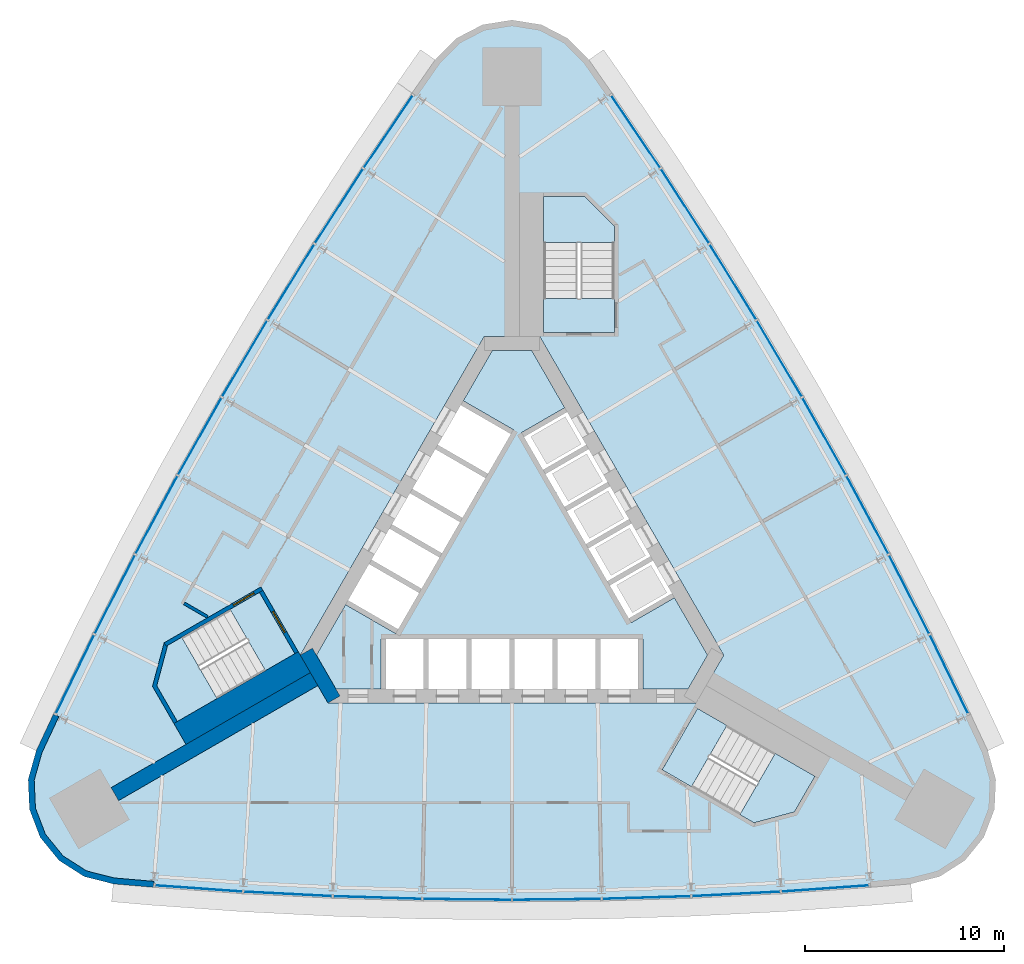
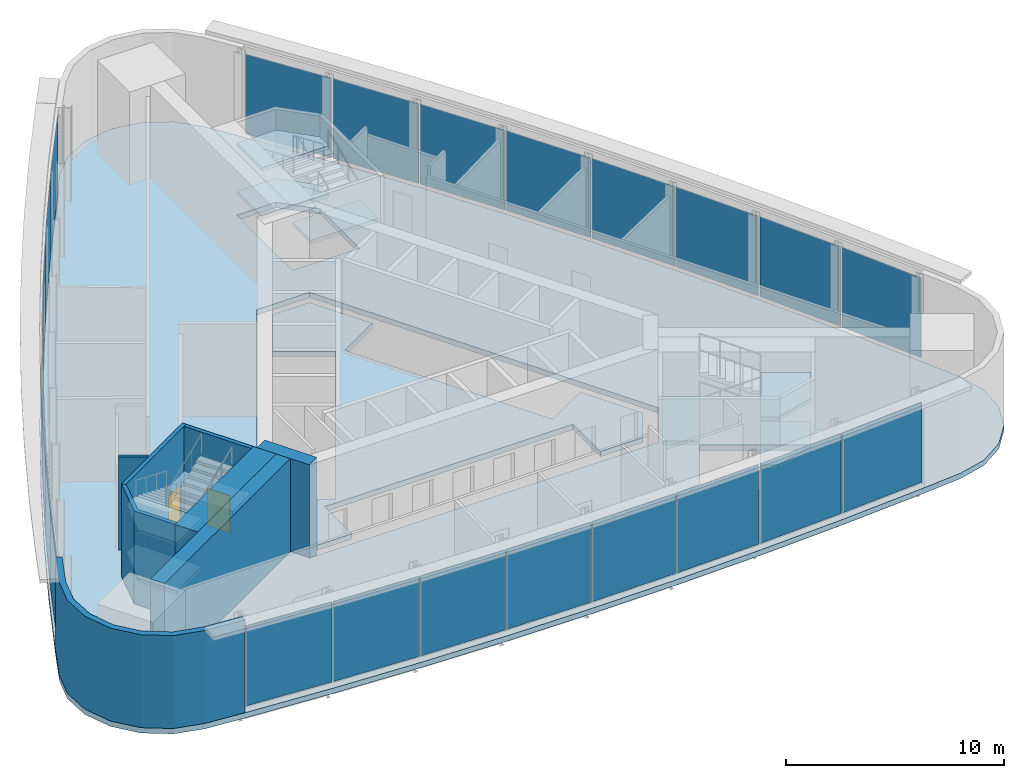
# One storey, part 5 of 11: 24 plates, 11 slabs, 8 walls, 2 doors, 2 openings, 6 elements without a shape of their own.
"""IFC4 building model written with IfcOpenShell, lengths in metres."""

from ifc_helpers import new_model, si_unit, direction, frame, frame_2d, origin, origin_2d, place, context, subcontext, project, spatial, polyline, rectangle, outline, extrude, material, layer, layer_set, type_object, element, fill, aggregate, save


model = new_model("IFC4")

# Units and contexts
model_context = context("Model", 3, precision=1e-05, world=origin(), true_north=direction((0.0, 1.0)))
body_context = subcontext(model_context, "Body", "Model", "MODEL_VIEW")
ifc_project = project(units=[si_unit("LENGTHUNIT", "METRE"), si_unit("AREAUNIT", "SQUARE_METRE"), si_unit("VOLUMEUNIT", "CUBIC_METRE"), si_unit("PLANEANGLEUNIT", "RADIAN"), si_unit("MASSUNIT", "GRAM", prefix="KILO")], contexts=[model_context])

# Site, building, storey
site_placement = place(None, origin())
site = spatial("IfcSite", under=ifc_project, at=site_placement, CompositionType="ELEMENT")
building_placement = place(site_placement, origin())
building = spatial("IfcBuilding", under=site, at=building_placement, Name="Noor Cloister Tower", CompositionType="ELEMENT")
storey_placement = place(building_placement, frame((0.0, 0.0, 134.699951171875)))
storey = spatial("IfcBuildingStorey", under=building, at=storey_placement, Name="L34", CompositionType="ELEMENT", Elevation=134.699951171875)

# Slabs
ifc_material_1 = material(Name="Concrete C40/50", Category="concrete")
ifc_layer_1 = layer(ifc_material_1, 0.300048828125)
ifc_layer_set_1 = layer_set([ifc_layer_1], Name="Core floor slab 300 C40/50")
slab_type_1 = type_object("IfcSlabType", Name="Core floor slab 300 C40/50", PredefinedType="FLOOR", material=ifc_layer_set_1)
slab_1_placement = place(storey_placement, frame((0.0, 0.0, -0.300048828125)))
element("IfcSlab", 1, at=slab_1_placement, inside=storey, type_object=slab_type_1, Name="Core floor L34", PredefinedType="FLOOR", context=body_context, shape_type="SweptSolid", body=[
    extrude(outline(polyline([(-6.574951171875, -6.228271484375), (-6.574951171875, -3.728271484375), (6.574951171875, -3.728271484375), (6.574951171875, -6.228271484375), (8.82470703125, -6.228271484375), (9.80615234375, -4.5283203125), (8.143798828125, -1.64892578125), (5.978759765625, -2.89892578125), (2.753662109375, 2.68701171875), (0.478759765625, 6.627197265625), (2.643798828125, 7.877197265625), (0.9814453125, 10.75634765625), (-0.9814453125, 10.75634765625), (-2.44384765625, 8.2236328125), (0.067626953125, 6.773681640625), (-5.832275390625, -3.4453125), (-8.34375, -1.995361328125), (-9.80615234375, -4.5283203125), (-8.82470703125, -6.228271484375), (-6.574951171875, -6.228271484375)])), origin(), (0.0, 0.0, 1.0), 0.300048828125),
])
ifc_material_2 = material(Name="Concrete C40/50", Category="concrete")
ifc_layer_2 = layer(ifc_material_2, 0.300048828125)
ifc_layer_set_2 = layer_set([ifc_layer_2], Name="Floor slab 300 C40/50")
slab_type_2 = type_object("IfcSlabType", Name="Floor slab 300 C40/50", PredefinedType="FLOOR", material=ifc_layer_set_2)
slab_2_placement = place(storey_placement, frame((0.0, 0.0, -0.300048828125)))
element("IfcSlab", 2, at=slab_2_placement, inside=storey, type_object=slab_type_2, Name="Floor slab L34", PredefinedType="FLOOR", context=body_context, shape_type="SweptSolid", body=[
    extrude(outline(polyline([(3.853271484375, 25.31689453125), (2.807373046875, 26.38818359375), (1.478271484375, 27.07763671875), (0.0, 27.3154296875), (-1.478271484375, 27.07763671875), (-2.807373046875, 26.38818359375), (-3.853271484375, 25.31689453125), (-5.0126953125, 23.65576171875), (-7.533447265625, 19.92822265625), (-9.978271484375, 16.150390625), (-12.345703125, 12.323486328125), (-14.635009765625, 8.449462890625), (-16.845458984375, 4.52978515625), (-18.9755859375, 0.566162109375), (-21.025146484375, -3.43994140625), (-22.992919921875, -7.48681640625), (-23.851806640625, -9.321533203125), (-24.256591796875, -10.762939453125), (-24.18896484375, -12.258544921875), (-23.65576171875, -13.65771484375), (-22.710693359375, -14.81884765625), (-21.44921875, -15.625244140625), (-19.99853515625, -15.995361328125), (-17.980224609375, -16.1689453125), (-13.49169921875, -16.48828125), (-8.99755859375, -16.716552734375), (-4.499755859375, -16.853515625), (0.0, -16.899169921875), (4.499755859375, -16.853515625), (8.99755859375, -16.716552734375), (13.49169921875, -16.48828125), (17.980224609375, -16.1689453125), (19.99853515625, -15.995361328125), (21.44921875, -15.625244140625), (22.710693359375, -14.81884765625), (23.65576171875, -13.65771484375), (24.18896484375, -12.258544921875), (24.256591796875, -10.762939453125), (23.851806640625, -9.321533203125), (22.992919921875, -7.48681640625), (21.025146484375, -3.43994140625), (18.9755859375, 0.566162109375), (16.845458984375, 4.52978515625), (14.635009765625, 8.449462890625), (12.345703125, 12.323486328125), (9.978271484375, 16.150390625), (7.533447265625, 19.92822265625), (5.0126953125, 23.65576171875), (3.853271484375, 25.31689453125)]), holes=[polyline([(8.999755859375, -11.126220703125), (12.131591796875, -12.934326171875), (14.1572265625, -12.3916015625), (15.19091796875, -10.601318359375), (10.774658203125, -8.0517578125), (8.999755859375, -11.126220703125)]), polyline([(-17.81005859375, -6.064697265625), (-16.776611328125, -7.85498046875), (-12.3603515625, -5.305419921875), (-14.13525390625, -2.23095703125), (-16.662841796875, -3.690185546875), (-17.267333984375, -4.039306640625), (-17.81005859375, -6.064697265625)]), polyline([(-10.6142578125, -4.5283203125), (-9.228759765625, -6.92822265625), (9.228759765625, -6.92822265625), (10.6142578125, -4.5283203125), (1.3857421875, 11.456298828125), (-1.3857421875, 11.456298828125), (-10.6142578125, -4.5283203125)]), polyline([(3.65283203125, 18.456298828125), (1.585693359375, 18.456298828125), (1.585693359375, 13.35693359375), (5.135498046875, 13.35693359375), (5.135498046875, 16.9736328125), (3.65283203125, 18.456298828125)])]), origin(), (0.0, 0.0, 1.0), 0.300048828125),
])

# Curtain wall, plates
ifc_material_3 = material(Name="Aluminium 6063-T6 anodised", Category="aluminium")
curtain_wall_type = type_object("IfcCurtainWallType", Name="Full height glass wall, sky lobby and observation deck CW3", PredefinedType="NOTDEFINED", material=ifc_material_3)
curtain_wall_1_placement = place(storey_placement, origin())
curtain_wall_1 = element("IfcCurtainWall", 3, at=curtain_wall_1_placement, inside=storey, type_object=curtain_wall_type, Name="CW3 L34 NW run 1", PredefinedType="NOTDEFINED")
ifc_material_4 = material(Name="Clear laminated glass 2 x 8 mm", Category="glass")
ifc_layer_3 = layer(ifc_material_4, 0.028076171875)
ifc_layer_set_3 = layer_set([ifc_layer_3], Name="Glass panel CW3")
plate_type = type_object("IfcPlateType", Name="Glass panel CW3", PredefinedType="CURTAIN_PANEL", material=ifc_layer_set_3)
plate_1_placement = place(storey_placement, frame((-6.203857421875, 21.7158203125, 0.2900390625), z_axis=(0.0, 0.0, 1.0), x_axis=(-0.560202787374, -0.828355501592, 0.0)))
plate_1 = element("IfcPlate", 4, at=plate_1_placement, type_object=plate_type, Name="CW3 glass panel 1", PredefinedType="CURTAIN_PANEL", context=body_context, shape_type="SweptSolid", body=[
    extrude(rectangle(XDim=4.368896484375, YDim=0.028076171875, at=origin_2d()), origin(), (0.0, 0.0, 1.0), 4.469970703125),
])
plate_2_placement = place(storey_placement, frame((-8.671875, 17.985107421875, 0.2900390625), z_axis=(0.0, 0.0, 1.0), x_axis=(-0.543277273915, -0.839553335797, 0.0)))
plate_2 = element("IfcPlate", 5, at=plate_2_placement, type_object=plate_type, Name="CW3 glass panel 2", PredefinedType="CURTAIN_PANEL", context=body_context, shape_type="SweptSolid", body=[
    extrude(rectangle(XDim=4.41796875, YDim=0.028076171875, at=origin_2d()), origin(), (0.0, 0.0, 1.0), 4.469970703125),
])
plate_3_placement = place(storey_placement, frame((-11.076904296875, 14.184326171875, 0.2900390625), z_axis=(0.0, 0.0, 1.0), x_axis=(-0.526127988992, -0.850405396972, 0.0)))
plate_3 = element("IfcPlate", 6, at=plate_3_placement, type_object=plate_type, Name="CW3 glass panel 3", PredefinedType="CURTAIN_PANEL", context=body_context, shape_type="SweptSolid", body=[
    extrude(rectangle(XDim=4.41796875, YDim=0.028076171875, at=origin_2d()), origin(), (0.0, 0.0, 1.0), 4.469970703125),
])
plate_4_placement = place(storey_placement, frame((-13.404296875, 10.335693359375, 0.2900390625), z_axis=(0.0, 0.0, 1.0), x_axis=(-0.508762010257, -0.860907205754, 0.0)))
plate_4 = element("IfcPlate", 7, at=plate_4_placement, type_object=plate_type, Name="CW3 glass panel 4", PredefinedType="CURTAIN_PANEL", context=body_context, shape_type="SweptSolid", body=[
    extrude(rectangle(XDim=4.41796875, YDim=0.028076171875, at=origin_2d()), origin(), (0.0, 0.0, 1.0), 4.469970703125),
])
plate_5_placement = place(storey_placement, frame((-15.653076171875, 6.440673828125, 0.2900390625), z_axis=(0.0, 0.0, 1.0), x_axis=(-0.491186505355, -0.87105442824, 0.0)))
plate_5 = element("IfcPlate", 8, at=plate_5_placement, type_object=plate_type, Name="CW3 glass panel 5", PredefinedType="CURTAIN_PANEL", context=body_context, shape_type="SweptSolid", body=[
    extrude(rectangle(XDim=4.41796875, YDim=0.028076171875, at=origin_2d()), origin(), (0.0, 0.0, 1.0), 4.469970703125),
])
plate_6_placement = place(storey_placement, frame((-17.822509765625, 2.500732421875, 0.2900390625), z_axis=(0.0, 0.0, 1.0), x_axis=(-0.473408682797, -0.880842902595, 0.0)))
plate_6 = element("IfcPlate", 9, at=plate_6_placement, type_object=plate_type, Name="CW3 glass panel 6", PredefinedType="CURTAIN_PANEL", context=body_context, shape_type="SweptSolid", body=[
    extrude(rectangle(XDim=4.41796875, YDim=0.028076171875, at=origin_2d()), origin(), (0.0, 0.0, 1.0), 4.469970703125),
])
plate_7_placement = place(storey_placement, frame((-19.911376953125, -1.482421875, 0.2900390625), z_axis=(0.0, 0.0, 1.0), x_axis=(-0.455435879675, -0.890268588407, 0.0)))
plate_7 = element("IfcPlate", 10, at=plate_7_placement, type_object=plate_type, Name="CW3 glass panel 7", PredefinedType="CURTAIN_PANEL", context=body_context, shape_type="SweptSolid", body=[
    extrude(rectangle(XDim=4.41796875, YDim=0.028076171875, at=origin_2d()), origin(), (0.0, 0.0, 1.0), 4.469970703125),
])
plate_8_placement = place(storey_placement, frame((-21.908447265625, -5.485107421875, 0.2900390625), z_axis=(0.0, 0.0, 1.0), x_axis=(-0.437275514056, -0.899327595933, 0.0)))
plate_8 = element("IfcPlate", 11, at=plate_8_placement, type_object=plate_type, Name="CW3 glass panel 8", PredefinedType="CURTAIN_PANEL", context=body_context, shape_type="SweptSolid", body=[
    extrude(rectangle(XDim=4.368896484375, YDim=0.028076171875, at=origin_2d()), origin(), (0.0, 0.0, 1.0), 4.469970703125),
])
aggregate(curtain_wall_1, [plate_1, plate_2, plate_3, plate_4, plate_5, plate_6, plate_7, plate_8])

curtain_wall_2_placement = place(storey_placement, origin())
curtain_wall_2 = element("IfcCurtainWall", 12, at=curtain_wall_2_placement, inside=storey, type_object=curtain_wall_type, Name="CW3 L34 S run 2", PredefinedType="NOTDEFINED")
plate_9_placement = place(storey_placement, frame((-15.704345703125, -16.230712890625, 0.2900390625), z_axis=(0.0, 0.0, 1.0), x_axis=(0.997478301431, -0.070972094341, 0.0)))
plate_9 = element("IfcPlate", 13, at=plate_9_placement, type_object=plate_type, Name="CW3 glass panel 1", PredefinedType="CURTAIN_PANEL", context=body_context, shape_type="SweptSolid", body=[
    extrude(rectangle(XDim=4.368896484375, YDim=0.028076171875, at=origin_2d()), origin(), (0.0, 0.0, 1.0), 4.469970703125),
])
plate_10_placement = place(storey_placement, frame((-11.239501953125, -16.50244140625, 0.2900390625), z_axis=(0.0, 0.0, 1.0), x_axis=(0.998713153589, -0.050715252611, 0.0)))
plate_10 = element("IfcPlate", 14, at=plate_10_placement, type_object=plate_type, Name="CW3 glass panel 2", PredefinedType="CURTAIN_PANEL", context=body_context, shape_type="SweptSolid", body=[
    extrude(rectangle(XDim=4.41796875, YDim=0.028076171875, at=origin_2d()), origin(), (0.0, 0.0, 1.0), 4.469970703125),
])
plate_11_placement = place(storey_placement, frame((-6.74560546875, -16.68505859375, 0.2900390625), z_axis=(0.0, 0.0, 1.0), x_axis=(0.999536671789, -0.030437505623, 0.0)))
plate_11 = element("IfcPlate", 15, at=plate_11_placement, type_object=plate_type, Name="CW3 glass panel 3", PredefinedType="CURTAIN_PANEL", context=body_context, shape_type="SweptSolid", body=[
    extrude(rectangle(XDim=4.41796875, YDim=0.028076171875, at=origin_2d()), origin(), (0.0, 0.0, 1.0), 4.469970703125),
])
plate_12_placement = place(storey_placement, frame((-2.248779296875, -16.7763671875, 0.2900390625), z_axis=(0.0, 0.0, 1.0), x_axis=(0.999948515613, -0.010147222486, 0.0)))
plate_12 = element("IfcPlate", 16, at=plate_12_placement, type_object=plate_type, Name="CW3 glass panel 4", PredefinedType="CURTAIN_PANEL", context=body_context, shape_type="SweptSolid", body=[
    extrude(rectangle(XDim=4.41796875, YDim=0.028076171875, at=origin_2d()), origin(), (0.0, 0.0, 1.0), 4.469970703125),
])
plate_13_placement = place(storey_placement, frame((2.248779296875, -16.7763671875, 0.2900390625), z_axis=(0.0, 0.0, 1.0), x_axis=(0.999948515613, 0.010147222486, 0.0)))
plate_13 = element("IfcPlate", 17, at=plate_13_placement, type_object=plate_type, Name="CW3 glass panel 5", PredefinedType="CURTAIN_PANEL", context=body_context, shape_type="SweptSolid", body=[
    extrude(rectangle(XDim=4.41796875, YDim=0.028076171875, at=origin_2d()), origin(), (0.0, 0.0, 1.0), 4.469970703125),
])
plate_14_placement = place(storey_placement, frame((6.74560546875, -16.68505859375, 0.2900390625), z_axis=(0.0, 0.0, 1.0), x_axis=(0.999536671789, 0.030437505623, 0.0)))
plate_14 = element("IfcPlate", 18, at=plate_14_placement, type_object=plate_type, Name="CW3 glass panel 6", PredefinedType="CURTAIN_PANEL", context=body_context, shape_type="SweptSolid", body=[
    extrude(rectangle(XDim=4.41796875, YDim=0.028076171875, at=origin_2d()), origin(), (0.0, 0.0, 1.0), 4.469970703125),
])
plate_15_placement = place(storey_placement, frame((11.239501953125, -16.50244140625, 0.2900390625), z_axis=(0.0, 0.0, 1.0), x_axis=(0.998713153589, 0.050715252611, 0.0)))
plate_15 = element("IfcPlate", 19, at=plate_15_placement, type_object=plate_type, Name="CW3 glass panel 7", PredefinedType="CURTAIN_PANEL", context=body_context, shape_type="SweptSolid", body=[
    extrude(rectangle(XDim=4.41796875, YDim=0.028076171875, at=origin_2d()), origin(), (0.0, 0.0, 1.0), 4.469970703125),
])
plate_16_placement = place(storey_placement, frame((15.704345703125, -16.230712890625, 0.2900390625), z_axis=(0.0, 0.0, 1.0), x_axis=(0.997478301431, 0.070972094341, 0.0)))
plate_16 = element("IfcPlate", 20, at=plate_16_placement, type_object=plate_type, Name="CW3 glass panel 8", PredefinedType="CURTAIN_PANEL", context=body_context, shape_type="SweptSolid", body=[
    extrude(rectangle(XDim=4.368896484375, YDim=0.028076171875, at=origin_2d()), origin(), (0.0, 0.0, 1.0), 4.469970703125),
])
aggregate(curtain_wall_2, [plate_9, plate_10, plate_11, plate_12, plate_13, plate_14, plate_15, plate_16])

curtain_wall_3_placement = place(storey_placement, origin())
curtain_wall_3 = element("IfcCurtainWall", 21, at=curtain_wall_3_placement, inside=storey, type_object=curtain_wall_type, Name="CW3 L34 NE run 3", PredefinedType="NOTDEFINED")
plate_17_placement = place(storey_placement, frame((21.908447265625, -5.485107421875, 0.2900390625), z_axis=(0.0, 0.0, 1.0), x_axis=(-0.437275514056, 0.899327595933, 0.0)))
plate_17 = element("IfcPlate", 22, at=plate_17_placement, type_object=plate_type, Name="CW3 glass panel 1", PredefinedType="CURTAIN_PANEL", context=body_context, shape_type="SweptSolid", body=[
    extrude(rectangle(XDim=4.368896484375, YDim=0.028076171875, at=origin_2d()), origin(), (0.0, 0.0, 1.0), 4.469970703125),
])
plate_18_placement = place(storey_placement, frame((19.911376953125, -1.482421875, 0.2900390625), z_axis=(0.0, 0.0, 1.0), x_axis=(-0.455435879675, 0.890268588407, 0.0)))
plate_18 = element("IfcPlate", 23, at=plate_18_placement, type_object=plate_type, Name="CW3 glass panel 2", PredefinedType="CURTAIN_PANEL", context=body_context, shape_type="SweptSolid", body=[
    extrude(rectangle(XDim=4.41796875, YDim=0.028076171875, at=origin_2d()), origin(), (0.0, 0.0, 1.0), 4.469970703125),
])
plate_19_placement = place(storey_placement, frame((17.822509765625, 2.500732421875, 0.2900390625), z_axis=(0.0, 0.0, 1.0), x_axis=(-0.473408682797, 0.880842902595, 0.0)))
plate_19 = element("IfcPlate", 24, at=plate_19_placement, type_object=plate_type, Name="CW3 glass panel 3", PredefinedType="CURTAIN_PANEL", context=body_context, shape_type="SweptSolid", body=[
    extrude(rectangle(XDim=4.41796875, YDim=0.028076171875, at=origin_2d()), origin(), (0.0, 0.0, 1.0), 4.469970703125),
])
plate_20_placement = place(storey_placement, frame((15.653076171875, 6.440673828125, 0.2900390625), z_axis=(0.0, 0.0, 1.0), x_axis=(-0.491186505355, 0.87105442824, 0.0)))
plate_20 = element("IfcPlate", 25, at=plate_20_placement, type_object=plate_type, Name="CW3 glass panel 4", PredefinedType="CURTAIN_PANEL", context=body_context, shape_type="SweptSolid", body=[
    extrude(rectangle(XDim=4.41796875, YDim=0.028076171875, at=origin_2d()), origin(), (0.0, 0.0, 1.0), 4.469970703125),
])
plate_21_placement = place(storey_placement, frame((13.404296875, 10.335693359375, 0.2900390625), z_axis=(0.0, 0.0, 1.0), x_axis=(-0.508762010257, 0.860907205754, 0.0)))
plate_21 = element("IfcPlate", 26, at=plate_21_placement, type_object=plate_type, Name="CW3 glass panel 5", PredefinedType="CURTAIN_PANEL", context=body_context, shape_type="SweptSolid", body=[
    extrude(rectangle(XDim=4.41796875, YDim=0.028076171875, at=origin_2d()), origin(), (0.0, 0.0, 1.0), 4.469970703125),
])
plate_22_placement = place(storey_placement, frame((11.076904296875, 14.184326171875, 0.2900390625), z_axis=(0.0, 0.0, 1.0), x_axis=(-0.526127988992, 0.850405396972, 0.0)))
plate_22 = element("IfcPlate", 27, at=plate_22_placement, type_object=plate_type, Name="CW3 glass panel 6", PredefinedType="CURTAIN_PANEL", context=body_context, shape_type="SweptSolid", body=[
    extrude(rectangle(XDim=4.41796875, YDim=0.028076171875, at=origin_2d()), origin(), (0.0, 0.0, 1.0), 4.469970703125),
])
plate_23_placement = place(storey_placement, frame((8.671875, 17.985107421875, 0.2900390625), z_axis=(0.0, 0.0, 1.0), x_axis=(-0.543277273915, 0.839553335797, 0.0)))
plate_23 = element("IfcPlate", 28, at=plate_23_placement, type_object=plate_type, Name="CW3 glass panel 7", PredefinedType="CURTAIN_PANEL", context=body_context, shape_type="SweptSolid", body=[
    extrude(rectangle(XDim=4.41796875, YDim=0.028076171875, at=origin_2d()), origin(), (0.0, 0.0, 1.0), 4.469970703125),
])
plate_24_placement = place(storey_placement, frame((6.203857421875, 21.7158203125, 0.2900390625), z_axis=(0.0, 0.0, 1.0), x_axis=(-0.560202787374, 0.828355501592, 0.0)))
plate_24 = element("IfcPlate", 29, at=plate_24_placement, type_object=plate_type, Name="CW3 glass panel 8", PredefinedType="CURTAIN_PANEL", context=body_context, shape_type="SweptSolid", body=[
    extrude(rectangle(XDim=4.368896484375, YDim=0.028076171875, at=origin_2d()), origin(), (0.0, 0.0, 1.0), 4.469970703125),
])
aggregate(curtain_wall_3, [plate_17, plate_18, plate_19, plate_20, plate_21, plate_22, plate_23, plate_24])

# Stair, slabs
ifc_material_5 = material(Name="Concrete C40/50", Category="concrete")
stair_type = type_object("IfcStairType", Name="Exit stair 32 risers", PredefinedType="HALF_TURN_STAIR", material=ifc_material_5)
stair_1_placement = place(storey_placement, origin())
stair_1 = element("IfcStair", 30, at=stair_1_placement, inside=storey, type_object=stair_type, Name="Exit stair ST1 L34", PredefinedType="HALF_TURN_STAIR")
ifc_material_6 = material(Name="Concrete C40/50", Category="concrete")
ifc_layer_4 = layer(ifc_material_6, 0.199951171875)
ifc_layer_set_4 = layer_set([ifc_layer_4], Name="Stair landing 200 C40/50")
slab_type_3 = type_object("IfcSlabType", Name="Stair landing 200 C40/50", PredefinedType="LANDING", material=ifc_layer_set_4)
slab_3_placement = place(storey_placement, frame((0.0, 0.0, 1.150146484375)))
slab_3 = element("IfcSlab", 31, at=slab_3_placement, type_object=slab_type_3, Name="ST1 landing 1", PredefinedType="LANDING", context=body_context, shape_type="SweptSolid", body=[
    extrude(outline(polyline([(5.135498046875, 16.15576171875), (5.135498046875, 16.9736328125), (3.65283203125, 18.456298828125), (1.585693359375, 18.456298828125), (1.585693359375, 16.15576171875), (5.135498046875, 16.15576171875)])), origin(), (0.0, 0.0, 1.0), 0.199951171875),
])
slab_4_placement = place(storey_placement, frame((0.0, 0.0, 2.5)))
slab_4 = element("IfcSlab", 32, at=slab_4_placement, type_object=slab_type_3, Name="ST1 landing 2", PredefinedType="LANDING", context=body_context, shape_type="SweptSolid", body=[
    extrude(outline(polyline([(1.585693359375, 13.35693359375), (1.585693359375, 11.656494140625), (5.135498046875, 11.656494140625), (5.135498046875, 13.35693359375), (1.585693359375, 13.35693359375)])), origin(), (0.0, 0.0, 1.0), 0.199951171875),
])
slab_5_placement = place(storey_placement, frame((0.0, 0.0, 3.85009765625)))
slab_5 = element("IfcSlab", 33, at=slab_5_placement, type_object=slab_type_3, Name="ST1 landing 3", PredefinedType="LANDING", context=body_context, shape_type="SweptSolid", body=[
    extrude(outline(polyline([(5.135498046875, 16.15576171875), (5.135498046875, 16.9736328125), (3.65283203125, 18.456298828125), (1.585693359375, 18.456298828125), (1.585693359375, 16.15576171875), (5.135498046875, 16.15576171875)])), origin(), (0.0, 0.0, 1.0), 0.199951171875),
])
aggregate(stair_1, [slab_3, slab_4, slab_5])

stair_2_placement = place(storey_placement, origin())
stair_2 = element("IfcStair", 34, at=stair_2_placement, inside=storey, type_object=stair_type, Name="Exit stair ST2 L34", PredefinedType="HALF_TURN_STAIR")
slab_6_placement = place(storey_placement, frame((0.0, 0.0, 1.150146484375)))
slab_6 = element("IfcSlab", 35, at=slab_6_placement, type_object=slab_type_3, Name="ST2 landing 1", PredefinedType="LANDING", context=body_context, shape_type="SweptSolid", body=[
    extrude(outline(polyline([(-16.55908203125, -3.63037109375), (-17.267333984375, -4.039306640625), (-17.81005859375, -6.064697265625), (-16.776611328125, -7.85498046875), (-14.7841796875, -6.70458984375), (-16.55908203125, -3.63037109375)])), origin(), (0.0, 0.0, 1.0), 0.199951171875),
])
slab_7_placement = place(storey_placement, frame((0.0, 0.0, 2.5)))
slab_7 = element("IfcSlab", 36, at=slab_7_placement, type_object=slab_type_3, Name="ST2 landing 2", PredefinedType="LANDING", context=body_context, shape_type="SweptSolid", body=[
    extrude(outline(polyline([(-12.3603515625, -5.305419921875), (-10.8876953125, -4.455078125), (-12.66259765625, -1.380615234375), (-14.13525390625, -2.23095703125), (-12.3603515625, -5.305419921875)])), origin(), (0.0, 0.0, 1.0), 0.199951171875),
])
slab_8_placement = place(storey_placement, frame((0.0, 0.0, 3.85009765625)))
slab_8 = element("IfcSlab", 37, at=slab_8_placement, type_object=slab_type_3, Name="ST2 landing 3", PredefinedType="LANDING", context=body_context, shape_type="SweptSolid", body=[
    extrude(outline(polyline([(-16.55908203125, -3.63037109375), (-17.267333984375, -4.039306640625), (-17.81005859375, -6.064697265625), (-16.776611328125, -7.85498046875), (-14.7841796875, -6.70458984375), (-16.55908203125, -3.63037109375)])), origin(), (0.0, 0.0, 1.0), 0.199951171875),
])
aggregate(stair_2, [slab_6, slab_7, slab_8])

stair_3_placement = place(storey_placement, origin())
stair_3 = element("IfcStair", 38, at=stair_3_placement, inside=storey, type_object=stair_type, Name="Exit stair ST3 L34", PredefinedType="HALF_TURN_STAIR")
slab_9_placement = place(storey_placement, frame((0.0, 0.0, 1.150146484375)))
slab_9 = element("IfcSlab", 39, at=slab_9_placement, type_object=slab_type_3, Name="ST3 landing 1", PredefinedType="LANDING", context=body_context, shape_type="SweptSolid", body=[
    extrude(outline(polyline([(11.423583984375, -12.525390625), (12.131591796875, -12.934326171875), (14.1572265625, -12.3916015625), (15.19091796875, -10.601318359375), (13.198486328125, -9.451171875), (11.423583984375, -12.525390625)])), origin(), (0.0, 0.0, 1.0), 0.199951171875),
])
slab_10_placement = place(storey_placement, frame((0.0, 0.0, 2.5)))
slab_10 = element("IfcSlab", 40, at=slab_10_placement, type_object=slab_type_3, Name="ST3 landing 2", PredefinedType="LANDING", context=body_context, shape_type="SweptSolid", body=[
    extrude(outline(polyline([(10.774658203125, -8.0517578125), (9.302001953125, -7.201416015625), (7.52685546875, -10.27587890625), (8.999755859375, -11.126220703125), (10.774658203125, -8.0517578125)])), origin(), (0.0, 0.0, 1.0), 0.199951171875),
])
slab_11_placement = place(storey_placement, frame((0.0, 0.0, 3.85009765625)))
slab_11 = element("IfcSlab", 41, at=slab_11_placement, type_object=slab_type_3, Name="ST3 landing 3", PredefinedType="LANDING", context=body_context, shape_type="SweptSolid", body=[
    extrude(outline(polyline([(11.423583984375, -12.525390625), (12.131591796875, -12.934326171875), (14.1572265625, -12.3916015625), (15.19091796875, -10.601318359375), (13.198486328125, -9.451171875), (11.423583984375, -12.525390625)])), origin(), (0.0, 0.0, 1.0), 0.199951171875),
])
aggregate(stair_3, [slab_9, slab_10, slab_11])

# Walls
ifc_material_7 = material(Name="Concrete C70/85", Category="concrete")
ifc_layer_5 = layer(ifc_material_7, 0.75)
ifc_layer_set_5 = layer_set([ifc_layer_5], Name="Buttress wall 750 C70/85")
wall_type_1 = type_object("IfcWallType", Name="Buttress wall 750 C70/85", PredefinedType="SHEAR", material=ifc_layer_set_5)
wall_1_placement = place(storey_placement, frame((-9.921630859375, -5.728271484375, -0.300048828125), z_axis=(0.0, 0.0, 1.0), x_axis=(-0.866024913782, -0.500000848707, 0.0)))
element("IfcWall", 42, at=wall_1_placement, inside=storey, type_object=wall_type_1, Name="Buttress wall SW L34", PredefinedType="SHEAR", context=body_context, shape_type="SweptSolid", body=[
    extrude(rectangle(XDim=11.53857421875, YDim=0.75, at=frame_2d((5.769287109375, 0.0))), origin(), (0.0, 0.0, 1.0), 5.5),
])
ifc_material_8 = material(Name="Concrete C70/85", Category="concrete")
ifc_layer_6 = layer(ifc_material_8, 0.699951171875)
ifc_layer_set_6 = layer_set([ifc_layer_6], Name="Core wall 700 C70/85")
wall_type_2 = type_object("IfcWallType", Name="Core wall 700 C70/85", PredefinedType="SHEAR", material=ifc_layer_set_6)
wall_2_placement = place(storey_placement, frame((-10.311279296875, -4.353271484375, -0.300048828125), z_axis=(0.0, 0.0, 1.0), x_axis=(0.500042739161, -0.866000726912, 0.0)))
element("IfcWall", 43, at=wall_2_placement, inside=storey, type_object=wall_type_2, Name="Core wall L34 6", PredefinedType="SHEAR", context=body_context, shape_type="SweptSolid", body=[
    extrude(rectangle(XDim=2.771240234375, YDim=0.699951171875, at=frame_2d((1.3857421875, 0.0))), origin(), (0.0, 0.0, 1.0), 5.5),
])
ifc_material_9 = material(Name="Limestone", Category="masonry")
ifc_layer_7 = layer(ifc_material_9, 0.300048828125)
ifc_layer_set_7 = layer_set([ifc_layer_7], Name="Limestone cladding 300")
wall_type_3 = type_object("IfcWallType", Name="Limestone cladding 300", PredefinedType="NOTDEFINED", material=ifc_layer_set_7)
wall_3_placement = place(storey_placement, origin())
element("IfcWall", 44, at=wall_3_placement, inside=storey, type_object=wall_type_3, Name="Limestone pier cladding L34 1.1", PredefinedType="NOTDEFINED", context=body_context, shape_type="SweptSolid", body=[
    extrude(outline(polyline([(-22.992919921875, -7.48681640625), (-23.851806640625, -9.321533203125), (-24.256591796875, -10.762939453125), (-24.18896484375, -12.258544921875), (-23.65576171875, -13.65771484375), (-22.710693359375, -14.81884765625), (-21.44921875, -15.625244140625), (-19.99853515625, -15.995361328125), (-17.980224609375, -16.1689453125), (-17.95458984375, -15.8701171875), (-19.9482421875, -15.69873046875), (-21.328369140625, -15.3466796875), (-22.508544921875, -14.59228515625), (-23.392578125, -13.505859375), (-23.891357421875, -12.19677734375), (-23.95458984375, -10.797607421875), (-23.569580078125, -9.42626953125), (-22.72119140625, -7.614013671875), (-22.992919921875, -7.48681640625)])), origin(), (0.0, 0.0, 1.0), 5.199951171875),
])
ifc_material_10 = material(Name="Concrete C70/85", Category="concrete")
ifc_layer_8 = layer(ifc_material_10, 1.2109375)
ifc_layer_set_8 = layer_set([ifc_layer_8], Name="Stair enclosure wall 1211 C70/85")
wall_type_4 = type_object("IfcWallType", Name="Stair enclosure wall 1211 C70/85", PredefinedType="SHEAR", material=ifc_layer_set_8)
wall_4_placement = place(storey_placement, frame((-10.41162109375, -4.879150390625, -0.300048828125), z_axis=(0.0, 0.0, 1.0), x_axis=(-0.866026919366, -0.499997374926, 0.0)))
element("IfcWall", 45, at=wall_4_placement, inside=storey, type_object=wall_type_4, Name="Stair enclosure wall ST2 L34 riser side", PredefinedType="SHEAR", context=body_context, shape_type="SweptSolid", body=[
    extrude(rectangle(XDim=7.2001953125, YDim=1.210693359375, at=frame_2d((3.60009765625, 0.0))), origin(), (0.0, 0.0, 1.0), 5.5),
])

# Wall, opening, door
ifc_material_11 = material(Name="Concrete C70/85", Category="concrete")
ifc_layer_9 = layer(ifc_material_11, 0.199951171875)
ifc_layer_set_9 = layer_set([ifc_layer_9], Name="Stair enclosure wall 200 C70/85")
wall_type_5 = type_object("IfcWallType", Name="Stair enclosure wall 200 C70/85", PredefinedType="SHEAR", material=ifc_layer_set_9)
wall_5_placement = place(storey_placement, frame((-12.575927734375, -1.33056640625, -0.300048828125), z_axis=(0.0, 0.0, 1.0), x_axis=(0.499970499736, -0.8660424351, 0.0)))
wall_5 = element("IfcWall", 46, at=wall_5_placement, inside=storey, type_object=wall_type_5, Name="Stair enclosure wall ST2 L34 near end", PredefinedType="SHEAR", context=body_context, shape_type="SweptSolid", body=[
    extrude(rectangle(XDim=3.550048828125, YDim=0.199951171875, at=frame_2d((1.77490234375, 0.0))), origin(), (0.0, 0.0, 1.0), 5.5),
])
opening_1_placement = place(wall_5_placement, frame((1.175048828125, 0.0, 0.300048828125)))
opening_1 = element("IfcOpeningElement", 47, at=opening_1_placement, cuts=wall_5, Name="Opening L34-ST2L", PredefinedType="OPENING", context=body_context, shape_type="SweptSolid", body=[
    extrude(rectangle(XDim=1.199951171875, YDim=2.10009765625, at=frame_2d((0.60009765625, 1.050048828125))), frame((0.0, 0.10986328125, 0.0), z_axis=(0.0, -1.0, 0.0), x_axis=(1.0, 0.0, 0.0)), (0.0, 0.0, 1.0), 0.219970703125),
])
ifc_material_12 = material(Name="Steel", Category="steel")
door_type = type_object("IfcDoorType", Name="Stair door 1200 x 2100 FD120", OperationType="SINGLE_SWING_LEFT", PredefinedType="DOOR", material=ifc_material_12)
door_1_placement = place(opening_1_placement, origin())
door_1 = element("IfcDoor", 48, at=door_1_placement, inside=storey, type_object=door_type, Name="Stair door ST2 L34", OperationType="SINGLE_SWING_RIGHT", OverallHeight=2.10009765625, OverallWidth=1.199951171875, PredefinedType="DOOR", context=body_context, shape_type="SweptSolid", body=[
    extrude(rectangle(XDim=1.199951171875, YDim=2.10009765625, at=frame_2d((0.60009765625, 1.050048828125))), frame((0.0, 0.02490234375, 0.0), z_axis=(0.0, -1.0, 0.0), x_axis=(1.0, 0.0, 0.0)), (0.0, 0.0, 1.0), 0.050048828125),
])
fill(opening_1, door_1)

wall_6_placement = place(storey_placement, frame((-12.539306640625, -1.194091796875, -0.300048828125), z_axis=(0.0, 0.0, 1.0), x_axis=(-0.866045472092, -0.499965239061, 0.0)))
wall_6 = element("IfcWall", 49, at=wall_6_placement, inside=storey, type_object=wall_type_5, Name="Stair enclosure wall ST2 L34 outer side", PredefinedType="SHEAR", context=body_context, shape_type="SweptSolid", body=[
    extrude(rectangle(XDim=5.60009765625, YDim=0.199951171875, at=frame_2d((2.800048828125, 0.0))), origin(), (0.0, 0.0, 1.0), 5.5),
])
opening_2_placement = place(wall_6_placement, frame((0.449951171875, 0.0, 0.300048828125)))
opening_2 = element("IfcOpeningElement", 50, at=opening_2_placement, cuts=wall_6, Name="Opening L34-ST2C", PredefinedType="OPENING", context=body_context, shape_type="SweptSolid", body=[
    extrude(rectangle(XDim=1.199951171875, YDim=2.10009765625, at=frame_2d((0.60009765625, 1.050048828125))), frame((0.0, 0.10986328125, 0.0), z_axis=(0.0, -1.0, 0.0), x_axis=(1.0, 0.0, 0.0)), (0.0, 0.0, 1.0), 0.219970703125),
])
door_2_placement = place(opening_2_placement, origin())
door_2 = element("IfcDoor", 51, at=door_2_placement, inside=storey, type_object=door_type, Name="Stair door ST2 L34", OperationType="SINGLE_SWING_LEFT", OverallHeight=2.10009765625, OverallWidth=1.199951171875, PredefinedType="DOOR", context=body_context, shape_type="SweptSolid", body=[
    extrude(rectangle(XDim=1.199951171875, YDim=2.10009765625, at=frame_2d((0.60009765625, 1.050048828125))), frame((0.0, 0.02490234375, 0.0), z_axis=(0.0, -1.0, 0.0), x_axis=(1.0, 0.0, 0.0)), (0.0, 0.0, 1.0), 0.050048828125),
])
fill(opening_2, door_2)

# Walls
ifc_material_13 = material(Name="Concrete C70/85", Category="concrete")
wall_type_6 = type_object("IfcWallType", Name="Stair far end wall C70/85", PredefinedType="SHEAR", material=ifc_material_13)
wall_7_placement = place(storey_placement, frame((0.0, 0.0, -0.300048828125)))
element("IfcWall", 52, at=wall_7_placement, inside=storey, type_object=wall_type_6, Name="Stair enclosure wall ST2 L34 far end", PredefinedType="SHEAR", context=body_context, shape_type="SweptSolid", body=[
    extrude(outline(polyline([(-17.439208984375, -3.907470703125), (-18.024658203125, -6.093017578125), (-16.94970703125, -7.955078125), (-16.776611328125, -7.85498046875), (-17.81005859375, -6.064697265625), (-17.267333984375, -4.039306640625), (-17.339111328125, -4.08056640625), (-17.339111328125, -4.08056640625), (-17.339111328125, -4.08056640625), (-17.339111328125, -4.08056640625), (-17.339111328125, -4.08056640625), (-17.339111328125, -4.08056640625), (-17.339111328125, -4.08056640625), (-17.339111328125, -4.08056640625), (-17.339111328125, -4.08056640625), (-17.339111328125, -4.08056640625), (-17.339111328125, -4.08056640625), (-17.339111328125, -4.08056640625), (-17.339111328125, -4.08056640625), (-17.339111328125, -4.08056640625), (-17.339111328125, -4.08056640625), (-17.339111328125, -4.08056640625), (-17.339111328125, -4.08056640625), (-17.439208984375, -3.907470703125)])), origin(), (0.0, 0.0, 1.0), 5.5),
])
ifc_material_14 = material(Name="Fire-rated gypsum board partition on steel studs, 150 mm", Category="steel")
ifc_layer_10 = layer(ifc_material_14, 0.14990234375)
ifc_layer_set_10 = layer_set([ifc_layer_10], Name="Upper floor corridor wall 150")
wall_type_7 = type_object("IfcWallType", Name="Upper floor corridor wall 150", PredefinedType="PARTITIONING", material=ifc_layer_set_10)
wall_8_placement = place(storey_placement, frame((-16.442626953125, -1.9296875, 0.0), z_axis=(0.0, 0.0, 1.0), x_axis=(0.866056956396, -0.499945345291, 0.0)))
element("IfcWall", 53, at=wall_8_placement, inside=storey, type_object=wall_type_7, Name="Upper floor corridor wall 150 L34 009", PredefinedType="PARTITIONING", context=body_context, shape_type="SweptSolid", body=[
    extrude(rectangle(XDim=1.359130859375, YDim=0.14990234375, at=frame_2d((0.6796875, 0.0))), origin(), (0.0, 0.0, 1.0), 5.199951171875),
])

save(model, "model.ifc")
